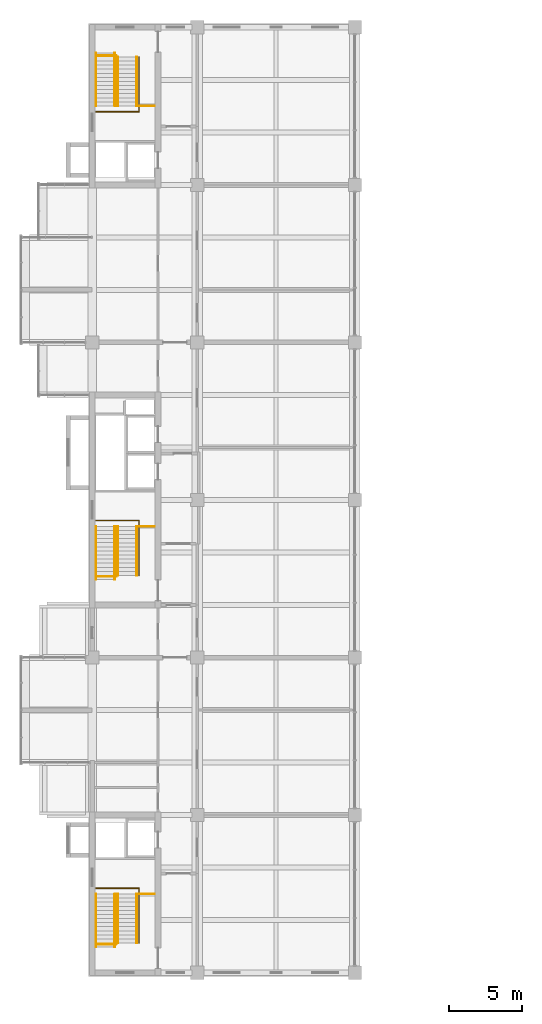
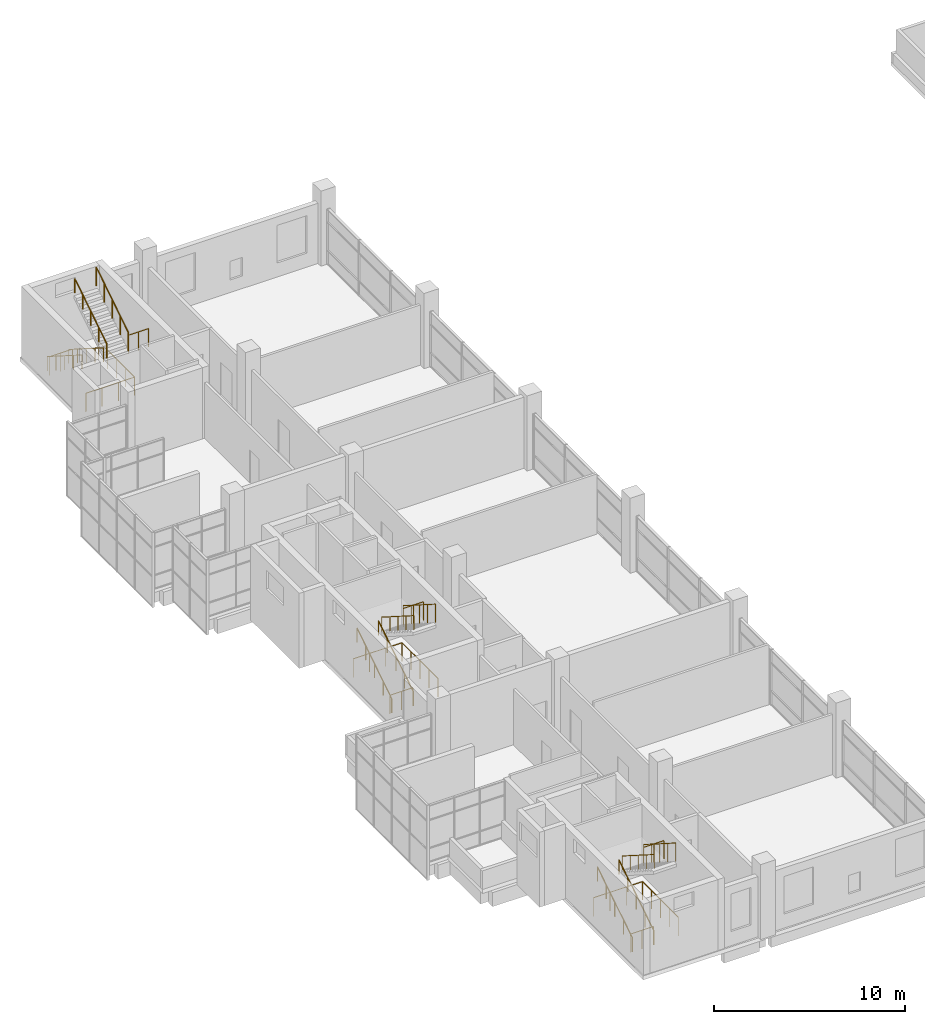
# One storey, part 22 of 22: 21 railings.
"""IFC4 building model written with IfcOpenShell, lengths in metres."""

from ifc_helpers import new_model, si_unit, direction, frame, origin, origin_2d, place, context, subcontext, project, spatial, circle, extrude, material, type_object, element, save


model = new_model("IFC4")

# Units and contexts
model_context = context("Model", 3, precision=1e-05, world=origin(), true_north=direction((0.0, 1.0)))
body_context = subcontext(model_context, "Body", "Model", "MODEL_VIEW")
ifc_project = project(units=[si_unit("LENGTHUNIT", "METRE"), si_unit("AREAUNIT", "SQUARE_METRE"), si_unit("VOLUMEUNIT", "CUBIC_METRE"), si_unit("PLANEANGLEUNIT", "RADIAN"), si_unit("MASSUNIT", "GRAM", prefix="KILO")], contexts=[model_context])

# Site, building, storey
site_placement = place(None, origin())
site = spatial("IfcSite", under=ifc_project, at=site_placement, CompositionType="ELEMENT")
building_placement = place(site_placement, origin())
building = spatial("IfcBuilding", under=site, at=building_placement, Name="Basin Gate Institute", CompositionType="ELEMENT")
storey_placement = place(building_placement, frame((0.0, 0.0, 51.0)))
storey = spatial("IfcBuildingStorey", under=building, at=storey_placement, Name="L10", CompositionType="ELEMENT", Elevation=51.0)

# Railings
ifc_material_1 = material(Name="Stainless steel", Category="steel")
railing_type_1 = type_object("IfcRailingType", Name="Stair guard GR2", PredefinedType="GUARDRAIL", material=ifc_material_1)
railing_1_placement = place(storey_placement, frame((64.39990234375, 37.1298828125, 0.0)))
element("IfcRailing", 1, at=railing_1_placement, inside=storey, type_object=railing_type_1, material=ifc_material_1, Name="Stair guard GR2 WS GD3-L09", PredefinedType="GUARDRAIL", context=body_context, shape_type="SweptSolid", body=[
    extrude(circle(Radius=0.02392578125, at=origin_2d()), frame((0.0, 0.0, 1.17578125), z_axis=(0.0, 1.0, 0.0), x_axis=(-1.0, 0.0, 0.0)), (0.0, 0.0, 1.0), 3.760009765625),
    extrude(circle(Radius=0.02392578125, at=origin_2d()), frame((0.0, 3.760009765625, 1.17578125), z_axis=(-1.0, 0.0, 0.0), x_axis=(0.0, -1.0, 0.0)), (0.0, 0.0, 1.0), 2.949951171875),
    extrude(circle(Radius=0.02099609375, at=origin_2d()), origin(), (0.0, 0.0, 1.0), 1.15185546875),
    extrude(circle(Radius=0.02099609375, at=origin_2d()), frame((0.0, 0.93994140625, 0.0)), (0.0, 0.0, 1.0), 1.15185546875),
    extrude(circle(Radius=0.02099609375, at=origin_2d()), frame((0.0, 1.8798828125, 0.0)), (0.0, 0.0, 1.0), 1.15185546875),
    extrude(circle(Radius=0.02099609375, at=origin_2d()), frame((0.0, 2.820068359375, 0.0)), (0.0, 0.0, 1.0), 1.15185546875),
    extrude(circle(Radius=0.02099609375, at=origin_2d()), frame((0.0, 3.760009765625, 0.0)), (0.0, 0.0, 1.0), 1.15185546875),
    extrude(circle(Radius=0.02099609375, at=origin_2d()), frame((-0.9833984375, 3.760009765625, 0.0)), (0.0, 0.0, 1.0), 1.15185546875),
    extrude(circle(Radius=0.02099609375, at=origin_2d()), frame((-1.966552734375, 3.760009765625, 0.0)), (0.0, 0.0, 1.0), 1.15185546875),
    extrude(circle(Radius=0.02099609375, at=origin_2d()), frame((-2.949951171875, 3.760009765625, 0.0)), (0.0, 0.0, 1.0), 1.15185546875),
])
railing_2_placement = place(storey_placement, frame((61.449951171875, 37.050048828125, 0.0)))
element("IfcRailing", 2, at=railing_2_placement, inside=storey, type_object=railing_type_1, material=ifc_material_1, Name="Stair guard GR2 WS GD4-L09", PredefinedType="GUARDRAIL", context=body_context, shape_type="SweptSolid", body=[
    extrude(circle(Radius=0.02392578125, at=origin_2d()), frame((0.0, 0.0, 1.17578125), z_axis=(1.0, 0.0, 0.0), x_axis=(0.0, 1.0, 0.0)), (0.0, 0.0, 1.0), 1.400146484375),
    extrude(circle(Radius=0.02099609375, at=origin_2d()), origin(), (0.0, 0.0, 1.0), 1.15185546875),
    extrude(circle(Radius=0.02099609375, at=origin_2d()), frame((0.7001953125, 0.0, 0.0)), (0.0, 0.0, 1.0), 1.15185546875),
    extrude(circle(Radius=0.02099609375, at=origin_2d()), frame((1.400146484375, 0.0, 0.0)), (0.0, 0.0, 1.0), 1.15185546875),
])
railing_3_placement = place(storey_placement, frame((64.39990234375, 62.330078125, 0.0)))
element("IfcRailing", 3, at=railing_3_placement, inside=storey, type_object=railing_type_1, material=ifc_material_1, Name="Stair guard GR2 WM GD3-L09", PredefinedType="GUARDRAIL", context=body_context, shape_type="SweptSolid", body=[
    extrude(circle(Radius=0.02392578125, at=origin_2d()), frame((0.0, 0.0, 1.17578125), z_axis=(0.0, 1.0, 0.0), x_axis=(-1.0, 0.0, 0.0)), (0.0, 0.0, 1.0), 3.760009765625),
    extrude(circle(Radius=0.02392578125, at=origin_2d()), frame((0.0, 3.760009765625, 1.17578125), z_axis=(-1.0, 0.0, 0.0), x_axis=(0.0, -1.0, 0.0)), (0.0, 0.0, 1.0), 2.949951171875),
    extrude(circle(Radius=0.02099609375, at=origin_2d()), origin(), (0.0, 0.0, 1.0), 1.15185546875),
    extrude(circle(Radius=0.02099609375, at=origin_2d()), frame((0.0, 0.93994140625, 0.0)), (0.0, 0.0, 1.0), 1.15185546875),
    extrude(circle(Radius=0.02099609375, at=origin_2d()), frame((0.0, 1.8798828125, 0.0)), (0.0, 0.0, 1.0), 1.15185546875),
    extrude(circle(Radius=0.02099609375, at=origin_2d()), frame((0.0, 2.820068359375, 0.0)), (0.0, 0.0, 1.0), 1.15185546875),
    extrude(circle(Radius=0.02099609375, at=origin_2d()), frame((0.0, 3.760009765625, 0.0)), (0.0, 0.0, 1.0), 1.15185546875),
    extrude(circle(Radius=0.02099609375, at=origin_2d()), frame((-0.9833984375, 3.760009765625, 0.0)), (0.0, 0.0, 1.0), 1.15185546875),
    extrude(circle(Radius=0.02099609375, at=origin_2d()), frame((-1.966552734375, 3.760009765625, 0.0)), (0.0, 0.0, 1.0), 1.15185546875),
    extrude(circle(Radius=0.02099609375, at=origin_2d()), frame((-2.949951171875, 3.760009765625, 0.0)), (0.0, 0.0, 1.0), 1.15185546875),
])
railing_4_placement = place(storey_placement, frame((61.449951171875, 62.25, 0.0)))
element("IfcRailing", 4, at=railing_4_placement, inside=storey, type_object=railing_type_1, material=ifc_material_1, Name="Stair guard GR2 WM GD4-L09", PredefinedType="GUARDRAIL", context=body_context, shape_type="SweptSolid", body=[
    extrude(circle(Radius=0.02392578125, at=origin_2d()), frame((0.0, 0.0, 1.17578125), z_axis=(1.0, 0.0, 0.0), x_axis=(0.0, 1.0, 0.0)), (0.0, 0.0, 1.0), 1.400146484375),
    extrude(circle(Radius=0.02099609375, at=origin_2d()), origin(), (0.0, 0.0, 1.0), 1.15185546875),
    extrude(circle(Radius=0.02099609375, at=origin_2d()), frame((0.7001953125, 0.0, 0.0)), (0.0, 0.0, 1.0), 1.15185546875),
    extrude(circle(Radius=0.02099609375, at=origin_2d()), frame((1.400146484375, 0.0, 0.0)), (0.0, 0.0, 1.0), 1.15185546875),
])
railing_5_placement = place(storey_placement, frame((64.39990234375, 97.8701171875, 0.0)))
element("IfcRailing", 5, at=railing_5_placement, inside=storey, type_object=railing_type_1, material=ifc_material_1, Name="Stair guard GR2 WN GD3-L09", PredefinedType="GUARDRAIL", context=body_context, shape_type="SweptSolid", body=[
    extrude(circle(Radius=0.02392578125, at=origin_2d()), frame((0.0, 0.0, 1.17578125), z_axis=(0.0, -1.0, 0.0), x_axis=(1.0, 0.0, 0.0)), (0.0, 0.0, 1.0), 3.760009765625),
    extrude(circle(Radius=0.02392578125, at=origin_2d()), frame((0.0, -3.760009765625, 1.17578125), z_axis=(-1.0, 0.0, 0.0), x_axis=(0.0, -1.0, 0.0)), (0.0, 0.0, 1.0), 2.949951171875),
    extrude(circle(Radius=0.02099609375, at=origin_2d()), origin(), (0.0, 0.0, 1.0), 1.15185546875),
    extrude(circle(Radius=0.02099609375, at=origin_2d()), frame((0.0, -0.93994140625, 0.0)), (0.0, 0.0, 1.0), 1.15185546875),
    extrude(circle(Radius=0.02099609375, at=origin_2d()), frame((0.0, -1.8798828125, 0.0)), (0.0, 0.0, 1.0), 1.15185546875),
    extrude(circle(Radius=0.02099609375, at=origin_2d()), frame((0.0, -2.820068359375, 0.0)), (0.0, 0.0, 1.0), 1.15185546875),
    extrude(circle(Radius=0.02099609375, at=origin_2d()), frame((0.0, -3.760009765625, 0.0)), (0.0, 0.0, 1.0), 1.15185546875),
    extrude(circle(Radius=0.02099609375, at=origin_2d()), frame((-0.9833984375, -3.760009765625, 0.0)), (0.0, 0.0, 1.0), 1.15185546875),
    extrude(circle(Radius=0.02099609375, at=origin_2d()), frame((-1.966552734375, -3.760009765625, 0.0)), (0.0, 0.0, 1.0), 1.15185546875),
    extrude(circle(Radius=0.02099609375, at=origin_2d()), frame((-2.949951171875, -3.760009765625, 0.0)), (0.0, 0.0, 1.0), 1.15185546875),
])
railing_6_placement = place(storey_placement, frame((61.449951171875, 97.949951171875, 0.0)))
element("IfcRailing", 6, at=railing_6_placement, inside=storey, type_object=railing_type_1, material=ifc_material_1, Name="Stair guard GR2 WN GD4-L09", PredefinedType="GUARDRAIL", context=body_context, shape_type="SweptSolid", body=[
    extrude(circle(Radius=0.02392578125, at=origin_2d()), frame((0.0, 0.0, 1.17578125), z_axis=(1.0, 0.0, 0.0), x_axis=(0.0, 1.0, 0.0)), (0.0, 0.0, 1.0), 1.400146484375),
    extrude(circle(Radius=0.02099609375, at=origin_2d()), origin(), (0.0, 0.0, 1.0), 1.15185546875),
    extrude(circle(Radius=0.02099609375, at=origin_2d()), frame((0.7001953125, 0.0, 0.0)), (0.0, 0.0, 1.0), 1.15185546875),
    extrude(circle(Radius=0.02099609375, at=origin_2d()), frame((1.400146484375, 0.0, 0.0)), (0.0, 0.0, 1.0), 1.15185546875),
])
railing_7_placement = place(storey_placement, frame((64.25, 40.489990234375, 2.666748046875)))
element("IfcRailing", 7, at=railing_7_placement, inside=storey, type_object=railing_type_1, material=ifc_material_1, Name="Stair guard GR2 WS GD1", PredefinedType="GUARDRAIL", context=body_context, shape_type="SweptSolid", body=[
    extrude(circle(Radius=0.02392578125, at=origin_2d()), frame((0.0, 0.0, 1.17578125), z_axis=(0.0, -0.844224270207, 0.535990094679), x_axis=(1.0, 0.0, 0.0)), (0.0, 0.0, 1.0), 3.980224609375),
    extrude(circle(Radius=0.02099609375, at=origin_2d()), origin(), (0.0, 0.0, 1.0), 1.15185546875),
    extrude(circle(Radius=0.02099609375, at=origin_2d()), frame((0.0, -0.840087890625, 0.533203125)), (0.0, 0.0, 1.0), 1.15185546875),
    extrude(circle(Radius=0.02099609375, at=origin_2d()), frame((0.0, -1.68017578125, 1.066650390625)), (0.0, 0.0, 1.0), 1.15185546875),
    extrude(circle(Radius=0.02099609375, at=origin_2d()), frame((0.0, -2.52001953125, 1.60009765625)), (0.0, 0.0, 1.0), 1.15185546875),
    extrude(circle(Radius=0.02099609375, at=origin_2d()), frame((0.0, -3.360107421875, 2.13330078125)), (0.0, 0.0, 1.0), 1.15185546875),
])
railing_8_placement = place(storey_placement, frame((64.25, 40.489990234375, 2.48876953125)))
element("IfcRailing", 8, at=railing_8_placement, inside=storey, type_object=railing_type_1, material=ifc_material_1, Name="Stair guard GR2 WS GD2", PredefinedType="GUARDRAIL", context=body_context, shape_type="SweptSolid", body=[
    extrude(circle(Radius=0.02392578125, at=origin_2d()), frame((0.0, 0.0, 1.17578125), z_axis=(1.0, 0.0, 0.0), x_axis=(0.0, 1.0, 0.0)), (0.0, 0.0, 1.0), 1.219970703125),
    extrude(circle(Radius=0.02099609375, at=origin_2d()), origin(), (0.0, 0.0, 1.0), 1.15185546875),
    extrude(circle(Radius=0.02099609375, at=origin_2d()), frame((0.60986328125, 0.0, 0.0)), (0.0, 0.0, 1.0), 1.15185546875),
    extrude(circle(Radius=0.02099609375, at=origin_2d()), frame((1.219970703125, 0.0, 0.0)), (0.0, 0.0, 1.0), 1.15185546875),
])
railing_9_placement = place(storey_placement, frame((64.25, 65.68994140625, 2.666748046875)))
element("IfcRailing", 9, at=railing_9_placement, inside=storey, type_object=railing_type_1, material=ifc_material_1, Name="Stair guard GR2 WM GD1", PredefinedType="GUARDRAIL", context=body_context, shape_type="SweptSolid", body=[
    extrude(circle(Radius=0.02392578125, at=origin_2d()), frame((0.0, 0.0, 1.17578125), z_axis=(0.0, -0.844206646714, 0.536017851983), x_axis=(1.0, 0.0, 0.0)), (0.0, 0.0, 1.0), 3.97998046875),
    extrude(circle(Radius=0.02099609375, at=origin_2d()), origin(), (0.0, 0.0, 1.0), 1.15185546875),
    extrude(circle(Radius=0.02099609375, at=origin_2d()), frame((0.0, -0.83984375, 0.533203125)), (0.0, 0.0, 1.0), 1.15185546875),
    extrude(circle(Radius=0.02099609375, at=origin_2d()), frame((0.0, -1.679931640625, 1.066650390625)), (0.0, 0.0, 1.0), 1.15185546875),
    extrude(circle(Radius=0.02099609375, at=origin_2d()), frame((0.0, -2.52001953125, 1.60009765625)), (0.0, 0.0, 1.0), 1.15185546875),
    extrude(circle(Radius=0.02099609375, at=origin_2d()), frame((0.0, -3.35986328125, 2.13330078125)), (0.0, 0.0, 1.0), 1.15185546875),
])
railing_10_placement = place(storey_placement, frame((64.25, 65.68994140625, 2.48876953125)))
element("IfcRailing", 10, at=railing_10_placement, inside=storey, type_object=railing_type_1, material=ifc_material_1, Name="Stair guard GR2 WM GD2", PredefinedType="GUARDRAIL", context=body_context, shape_type="SweptSolid", body=[
    extrude(circle(Radius=0.02392578125, at=origin_2d()), frame((0.0, 0.0, 1.17578125), z_axis=(1.0, 0.0, 0.0), x_axis=(0.0, 1.0, 0.0)), (0.0, 0.0, 1.0), 1.219970703125),
    extrude(circle(Radius=0.02099609375, at=origin_2d()), origin(), (0.0, 0.0, 1.0), 1.15185546875),
    extrude(circle(Radius=0.02099609375, at=origin_2d()), frame((0.60986328125, 0.0, 0.0)), (0.0, 0.0, 1.0), 1.15185546875),
    extrude(circle(Radius=0.02099609375, at=origin_2d()), frame((1.219970703125, 0.0, 0.0)), (0.0, 0.0, 1.0), 1.15185546875),
])
railing_11_placement = place(storey_placement, frame((64.25, 94.510009765625, 2.666748046875)))
element("IfcRailing", 11, at=railing_11_placement, inside=storey, type_object=railing_type_1, material=ifc_material_1, Name="Stair guard GR2 WN GD1", PredefinedType="GUARDRAIL", context=body_context, shape_type="SweptSolid", body=[
    extrude(circle(Radius=0.02392578125, at=origin_2d()), frame((0.0, 0.0, 1.17578125), z_axis=(0.0, 0.844224270207, 0.535990094679), x_axis=(-1.0, 0.0, 0.0)), (0.0, 0.0, 1.0), 3.980224609375),
    extrude(circle(Radius=0.02099609375, at=origin_2d()), origin(), (0.0, 0.0, 1.0), 1.15185546875),
    extrude(circle(Radius=0.02099609375, at=origin_2d()), frame((0.0, 0.840087890625, 0.533203125)), (0.0, 0.0, 1.0), 1.15185546875),
    extrude(circle(Radius=0.02099609375, at=origin_2d()), frame((0.0, 1.68017578125, 1.066650390625)), (0.0, 0.0, 1.0), 1.15185546875),
    extrude(circle(Radius=0.02099609375, at=origin_2d()), frame((0.0, 2.52001953125, 1.60009765625)), (0.0, 0.0, 1.0), 1.15185546875),
    extrude(circle(Radius=0.02099609375, at=origin_2d()), frame((0.0, 3.360107421875, 2.13330078125)), (0.0, 0.0, 1.0), 1.15185546875),
])
railing_12_placement = place(storey_placement, frame((64.25, 94.510009765625, 2.48876953125)))
element("IfcRailing", 12, at=railing_12_placement, inside=storey, type_object=railing_type_1, material=ifc_material_1, Name="Stair guard GR2 WN GD2", PredefinedType="GUARDRAIL", context=body_context, shape_type="SweptSolid", body=[
    extrude(circle(Radius=0.02392578125, at=origin_2d()), frame((0.0, 0.0, 1.17578125), z_axis=(1.0, 0.0, 0.0), x_axis=(0.0, 1.0, 0.0)), (0.0, 0.0, 1.0), 1.219970703125),
    extrude(circle(Radius=0.02099609375, at=origin_2d()), origin(), (0.0, 0.0, 1.0), 1.15185546875),
    extrude(circle(Radius=0.02099609375, at=origin_2d()), frame((0.60986328125, 0.0, 0.0)), (0.0, 0.0, 1.0), 1.15185546875),
    extrude(circle(Radius=0.02099609375, at=origin_2d()), frame((1.219970703125, 0.0, 0.0)), (0.0, 0.0, 1.0), 1.15185546875),
])
ifc_material_2 = material(Name="Stainless steel", Category="steel")
railing_type_2 = type_object("IfcRailingType", Name="Stair handrail HR1", PredefinedType="HANDRAIL", material=ifc_material_2)
for number, where, name in (
    (13, (61.449951171875, 36.85009765625, 0.177734375), "Stair handrail HR1 WS HR1"),
    (14, (62.75, 36.85009765625, 0.177734375), "Stair handrail HR1 WS HR2"),
):
    element("IfcRailing", number, at=place(storey_placement, frame(where)), inside=storey, type_object=railing_type_2, material=ifc_material_2, Name=name, PredefinedType="HANDRAIL", context=body_context, shape_type="SweptSolid", body=[
        extrude(circle(Radius=0.02392578125, at=origin_2d()), frame((0.0, 0.0, 0.89599609375), z_axis=(0.0, 0.84421362867, 0.536006855523), x_axis=(-1.0, 0.0, 0.0)), (0.0, 0.0, 1.0), 4.3115234375),
        extrude(circle(Radius=0.02099609375, at=origin_2d()), origin(), (0.0, 0.0, 1.0), 0.871826171875),
        extrude(circle(Radius=0.02099609375, at=origin_2d()), frame((0.0, 0.909912109375, 0.57763671875)), (0.0, 0.0, 1.0), 0.871826171875),
        extrude(circle(Radius=0.02099609375, at=origin_2d()), frame((0.0, 1.81982421875, 1.155517578125)), (0.0, 0.0, 1.0), 0.871826171875),
        extrude(circle(Radius=0.02099609375, at=origin_2d()), frame((0.0, 2.72998046875, 1.7333984375)), (0.0, 0.0, 1.0), 0.871826171875),
        extrude(circle(Radius=0.02099609375, at=origin_2d()), frame((0.0, 3.639892578125, 2.31103515625)), (0.0, 0.0, 1.0), 0.871826171875),
    ])
railing_13_placement = place(storey_placement, frame((62.949951171875, 40.489990234375, 2.666748046875)))
element("IfcRailing", 15, at=railing_13_placement, inside=storey, type_object=railing_type_2, material=ifc_material_2, Name="Stair handrail HR1 WS HR3", PredefinedType="HANDRAIL", context=body_context, shape_type="SweptSolid", body=[
    extrude(circle(Radius=0.02392578125, at=origin_2d()), frame((0.0, 0.0, 0.89599609375), z_axis=(0.0, -0.844224270207, 0.535990094679), x_axis=(1.0, 0.0, 0.0)), (0.0, 0.0, 1.0), 3.980224609375),
    extrude(circle(Radius=0.02099609375, at=origin_2d()), origin(), (0.0, 0.0, 1.0), 0.871826171875),
    extrude(circle(Radius=0.02099609375, at=origin_2d()), frame((0.0, -0.840087890625, 0.533203125)), (0.0, 0.0, 1.0), 0.871826171875),
    extrude(circle(Radius=0.02099609375, at=origin_2d()), frame((0.0, -1.68017578125, 1.066650390625)), (0.0, 0.0, 1.0), 0.871826171875),
    extrude(circle(Radius=0.02099609375, at=origin_2d()), frame((0.0, -2.52001953125, 1.60009765625)), (0.0, 0.0, 1.0), 0.871826171875),
    extrude(circle(Radius=0.02099609375, at=origin_2d()), frame((0.0, -3.360107421875, 2.13330078125)), (0.0, 0.0, 1.0), 0.871826171875),
])
for number, where, name in (
    (16, (61.449951171875, 62.050048828125, 0.177734375), "Stair handrail HR1 WM HR1"),
    (17, (62.75, 62.050048828125, 0.177734375), "Stair handrail HR1 WM HR2"),
):
    element("IfcRailing", number, at=place(storey_placement, frame(where)), inside=storey, type_object=railing_type_2, material=ifc_material_2, Name=name, PredefinedType="HANDRAIL", context=body_context, shape_type="SweptSolid", body=[
        extrude(circle(Radius=0.02392578125, at=origin_2d()), frame((0.0, 0.0, 0.89599609375), z_axis=(0.0, 0.84421362867, 0.536006855523), x_axis=(-1.0, 0.0, 0.0)), (0.0, 0.0, 1.0), 4.3115234375),
        extrude(circle(Radius=0.02099609375, at=origin_2d()), origin(), (0.0, 0.0, 1.0), 0.871826171875),
        extrude(circle(Radius=0.02099609375, at=origin_2d()), frame((0.0, 0.909912109375, 0.57763671875)), (0.0, 0.0, 1.0), 0.871826171875),
        extrude(circle(Radius=0.02099609375, at=origin_2d()), frame((0.0, 1.81982421875, 1.155517578125)), (0.0, 0.0, 1.0), 0.871826171875),
        extrude(circle(Radius=0.02099609375, at=origin_2d()), frame((0.0, 2.72998046875, 1.7333984375)), (0.0, 0.0, 1.0), 0.871826171875),
        extrude(circle(Radius=0.02099609375, at=origin_2d()), frame((0.0, 3.639892578125, 2.31103515625)), (0.0, 0.0, 1.0), 0.871826171875),
    ])
railing_14_placement = place(storey_placement, frame((62.949951171875, 65.68994140625, 2.666748046875)))
element("IfcRailing", 18, at=railing_14_placement, inside=storey, type_object=railing_type_2, material=ifc_material_2, Name="Stair handrail HR1 WM HR3", PredefinedType="HANDRAIL", context=body_context, shape_type="SweptSolid", body=[
    extrude(circle(Radius=0.02392578125, at=origin_2d()), frame((0.0, 0.0, 0.89599609375), z_axis=(0.0, -0.844206646714, 0.536017851983), x_axis=(1.0, 0.0, 0.0)), (0.0, 0.0, 1.0), 3.97998046875),
    extrude(circle(Radius=0.02099609375, at=origin_2d()), origin(), (0.0, 0.0, 1.0), 0.871826171875),
    extrude(circle(Radius=0.02099609375, at=origin_2d()), frame((0.0, -0.83984375, 0.533203125)), (0.0, 0.0, 1.0), 0.871826171875),
    extrude(circle(Radius=0.02099609375, at=origin_2d()), frame((0.0, -1.679931640625, 1.066650390625)), (0.0, 0.0, 1.0), 0.871826171875),
    extrude(circle(Radius=0.02099609375, at=origin_2d()), frame((0.0, -2.52001953125, 1.60009765625)), (0.0, 0.0, 1.0), 0.871826171875),
    extrude(circle(Radius=0.02099609375, at=origin_2d()), frame((0.0, -3.35986328125, 2.13330078125)), (0.0, 0.0, 1.0), 0.871826171875),
])
for number, where, name in (
    (19, (61.449951171875, 98.14990234375, 0.177734375), "Stair handrail HR1 WN HR1"),
    (20, (62.75, 98.14990234375, 0.177734375), "Stair handrail HR1 WN HR2"),
):
    element("IfcRailing", number, at=place(storey_placement, frame(where)), inside=storey, type_object=railing_type_2, material=ifc_material_2, Name=name, PredefinedType="HANDRAIL", context=body_context, shape_type="SweptSolid", body=[
        extrude(circle(Radius=0.02392578125, at=origin_2d()), frame((0.0, 0.0, 0.89599609375), z_axis=(0.0, -0.84421362867, 0.536006855523), x_axis=(1.0, 0.0, 0.0)), (0.0, 0.0, 1.0), 4.3115234375),
        extrude(circle(Radius=0.02099609375, at=origin_2d()), origin(), (0.0, 0.0, 1.0), 0.871826171875),
        extrude(circle(Radius=0.02099609375, at=origin_2d()), frame((0.0, -0.909912109375, 0.57763671875)), (0.0, 0.0, 1.0), 0.871826171875),
        extrude(circle(Radius=0.02099609375, at=origin_2d()), frame((0.0, -1.81982421875, 1.155517578125)), (0.0, 0.0, 1.0), 0.871826171875),
        extrude(circle(Radius=0.02099609375, at=origin_2d()), frame((0.0, -2.72998046875, 1.7333984375)), (0.0, 0.0, 1.0), 0.871826171875),
        extrude(circle(Radius=0.02099609375, at=origin_2d()), frame((0.0, -3.639892578125, 2.31103515625)), (0.0, 0.0, 1.0), 0.871826171875),
    ])
railing_15_placement = place(storey_placement, frame((62.949951171875, 94.510009765625, 2.666748046875)))
element("IfcRailing", 21, at=railing_15_placement, inside=storey, type_object=railing_type_2, material=ifc_material_2, Name="Stair handrail HR1 WN HR3", PredefinedType="HANDRAIL", context=body_context, shape_type="SweptSolid", body=[
    extrude(circle(Radius=0.02392578125, at=origin_2d()), frame((0.0, 0.0, 0.89599609375), z_axis=(0.0, 0.844224270207, 0.535990094679), x_axis=(-1.0, 0.0, 0.0)), (0.0, 0.0, 1.0), 3.980224609375),
    extrude(circle(Radius=0.02099609375, at=origin_2d()), origin(), (0.0, 0.0, 1.0), 0.871826171875),
    extrude(circle(Radius=0.02099609375, at=origin_2d()), frame((0.0, 0.840087890625, 0.533203125)), (0.0, 0.0, 1.0), 0.871826171875),
    extrude(circle(Radius=0.02099609375, at=origin_2d()), frame((0.0, 1.68017578125, 1.066650390625)), (0.0, 0.0, 1.0), 0.871826171875),
    extrude(circle(Radius=0.02099609375, at=origin_2d()), frame((0.0, 2.52001953125, 1.60009765625)), (0.0, 0.0, 1.0), 0.871826171875),
    extrude(circle(Radius=0.02099609375, at=origin_2d()), frame((0.0, 3.360107421875, 2.13330078125)), (0.0, 0.0, 1.0), 0.871826171875),
])

save(model, "model.ifc")
